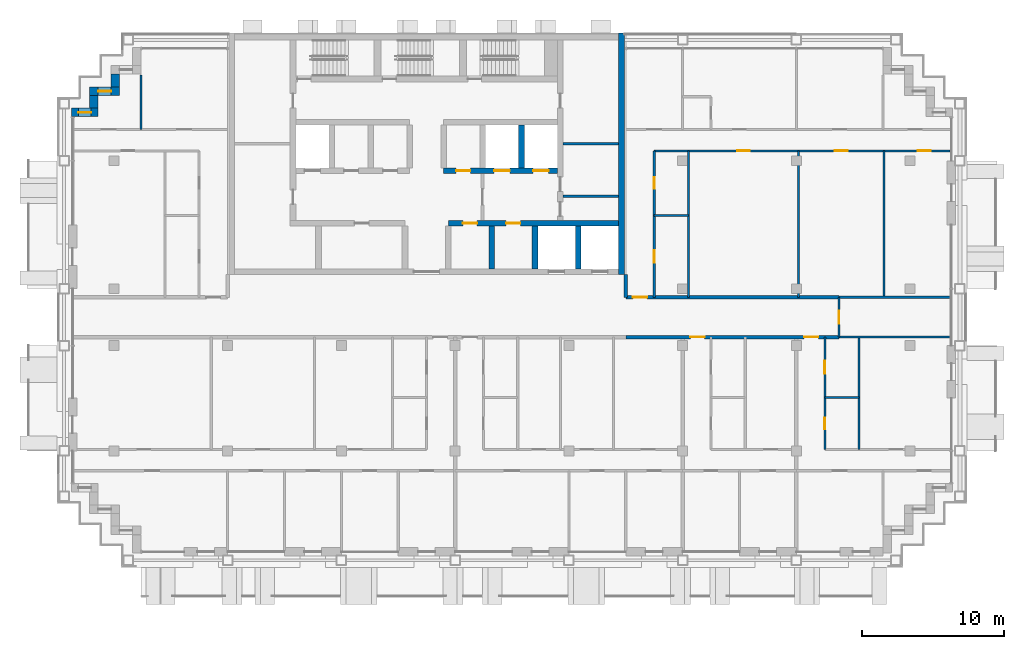
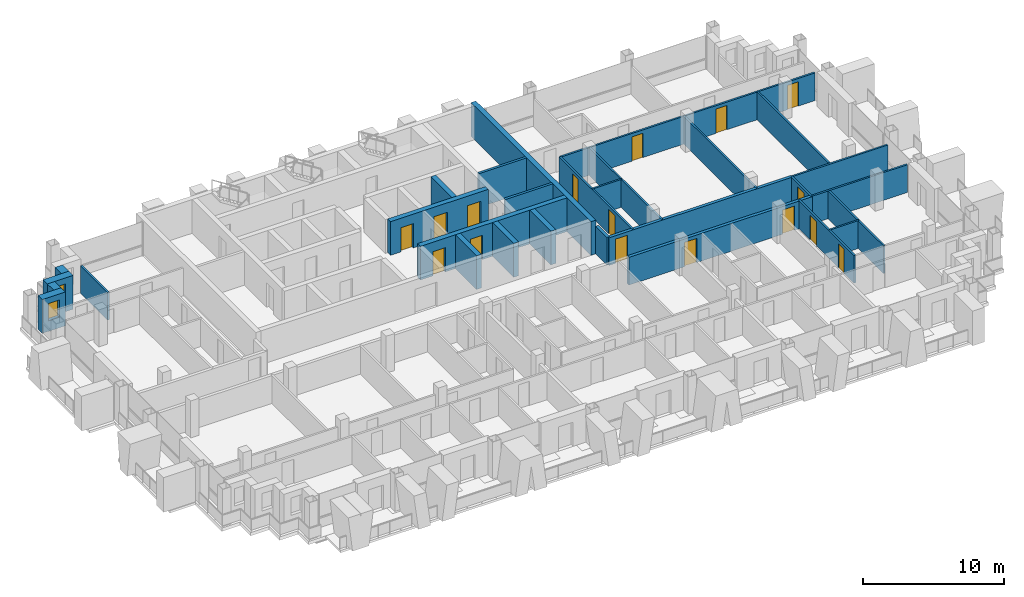
# One storey, part 10 of 16: 29 walls, 16 doors, 2 windows, 18 openings.
"""IFC4 building model written with IfcOpenShell, lengths in metres."""

from ifc_helpers import new_model, si_unit, direction, frame, frame_2d, origin, place, context, subcontext, project, spatial, rectangle, extrude, material, layer, layer_set, type_object, element, fill, save


model = new_model("IFC4")

# Units and contexts
model_context = context("Model", 3, precision=1e-05, world=origin(), true_north=direction((0.0, 1.0)))
body_context = subcontext(model_context, "Body", "Model", "MODEL_VIEW")
ifc_project = project(units=[si_unit("LENGTHUNIT", "METRE"), si_unit("AREAUNIT", "SQUARE_METRE"), si_unit("VOLUMEUNIT", "CUBIC_METRE"), si_unit("PLANEANGLEUNIT", "RADIAN"), si_unit("MASSUNIT", "GRAM", prefix="KILO")], contexts=[model_context])

# Site, building, storey
site_placement = place(None, origin())
site = spatial("IfcSite", under=ifc_project, at=site_placement, CompositionType="ELEMENT")
building_placement = place(site_placement, origin())
building = spatial("IfcBuilding", under=site, at=building_placement, Name="Vidyagriha Tower", CompositionType="ELEMENT")
storey_placement = place(building_placement, frame((0.0, 0.0, 174.89990234375)))
storey = spatial("IfcBuildingStorey", under=building, at=storey_placement, Name="L45", CompositionType="ELEMENT", Elevation=174.89990234375)

# Wall
ifc_material_1 = material(Name="Precast concrete C40/50 with brick facing", Category="concrete")
ifc_layer_1 = layer(ifc_material_1, 0.60009765625)
ifc_layer_set_1 = layer_set([ifc_layer_1], Name="Precast concrete C40/50 with brick facing")
wall_type_1 = type_object("IfcWallType", Name="Brick-faced precast wall 600", PredefinedType="STANDARD", material=ifc_layer_set_1)
wall_1_placement = place(storey_placement, frame((-21.89990234375, 17.10009765625, 0.0), z_axis=(0.0, 0.0, 1.0), x_axis=(0.0, -1.0, 0.0)))
element("IfcWall", 1, at=wall_1_placement, inside=storey, type_object=wall_type_1, Name="Stepped corner wall L45 R12", PredefinedType="STANDARD", context=body_context, shape_type="SweptSolid", body=[
    extrude(rectangle(XDim=0.900146484375, YDim=0.60009765625, at=frame_2d((0.4501953125, 0.0))), origin(), (0.0, 0.0, 1.0), 2.920166015625),
])

# Wall, opening, window
wall_2_placement = place(storey_placement, frame((-21.60009765625, 15.89990234375, 0.0), z_axis=(0.0, 0.0, 1.0), x_axis=(-1.0, 0.0, 0.0)))
wall_2 = element("IfcWall", 2, at=wall_2_placement, inside=storey, type_object=wall_type_1, Name="Stepped corner wall L45 R13", PredefinedType="STANDARD", context=body_context, shape_type="SweptSolid", body=[
    extrude(rectangle(XDim=2.099853515625, YDim=0.60009765625, at=frame_2d((1.0498046875, 0.0))), origin(), (0.0, 0.0, 1.0), 2.920166015625),
])
opening_1_placement = place(wall_2_placement, frame((0.60009765625, 0.0, 0.89990234375)))
opening_1 = element("IfcOpeningElement", 3, at=opening_1_placement, cuts=wall_2, Name="Opening WN1", PredefinedType="OPENING", context=body_context, shape_type="SweptSolid", body=[
    extrude(rectangle(XDim=0.89990234375, YDim=1.5, at=frame_2d((0.449951171875, 0.75))), frame((0.0, 0.31005859375, 0.0), z_axis=(0.0, -1.0, 0.0), x_axis=(1.0, 0.0, 0.0)), (0.0, 0.0, 1.0), 0.6201171875),
])
ifc_material_2 = material(Name="Aluminium and glass window", Category="aluminium")
window_type = type_object("IfcWindowType", Name="Reveal window 900x1500", PartitioningType="NOTDEFINED", PredefinedType="WINDOW", material=ifc_material_2)
window_1_placement = place(opening_1_placement, origin())
window_1 = element("IfcWindow", 4, at=window_1_placement, inside=storey, type_object=window_type, Name="Reveal window L45 R13", OverallHeight=1.5, OverallWidth=0.89990234375, PartitioningType="SINGLE_PANEL", PredefinedType="WINDOW", context=body_context, shape_type="SweptSolid", body=[
    extrude(rectangle(XDim=0.89990234375, YDim=1.5, at=frame_2d((0.449951171875, 0.75))), frame((0.0, 0.030029296875, 0.0), z_axis=(0.0, -1.0, 0.0), x_axis=(1.0, 0.0, 0.0)), (0.0, 0.0, 1.0), 0.06005859375),
])
fill(opening_1, window_1)

# Wall
wall_3_placement = place(storey_placement, frame((-23.39990234375, 15.60009765625, 0.0), z_axis=(0.0, 0.0, 1.0), x_axis=(0.0, -1.0, 0.0)))
element("IfcWall", 5, at=wall_3_placement, inside=storey, type_object=wall_type_1, Name="Stepped corner wall L45 R14", PredefinedType="STANDARD", context=body_context, shape_type="SweptSolid", body=[
    extrude(rectangle(XDim=0.900146484375, YDim=0.60009765625, at=frame_2d((0.4501953125, 0.0))), origin(), (0.0, 0.0, 1.0), 2.920166015625),
])

# Wall, opening, window
wall_4_placement = place(storey_placement, frame((-23.10009765625, 14.39990234375, 0.0), z_axis=(0.0, 0.0, 1.0), x_axis=(-1.0, 0.0, 0.0)))
wall_4 = element("IfcWall", 6, at=wall_4_placement, inside=storey, type_object=wall_type_1, Name="Stepped corner wall L45 R15", PredefinedType="STANDARD", context=body_context, shape_type="SweptSolid", body=[
    extrude(rectangle(XDim=1.8798828125, YDim=0.60009765625, at=frame_2d((0.93994140625, 0.0))), origin(), (0.0, 0.0, 1.0), 2.920166015625),
])
opening_2_placement = place(wall_4_placement, frame((0.489990234375, 0.0, 0.89990234375)))
opening_2 = element("IfcOpeningElement", 7, at=opening_2_placement, cuts=wall_4, Name="Opening WN1", PredefinedType="OPENING", context=body_context, shape_type="SweptSolid", body=[
    extrude(rectangle(XDim=0.89990234375, YDim=1.5, at=frame_2d((0.449951171875, 0.75))), frame((0.0, 0.31005859375, 0.0), z_axis=(0.0, -1.0, 0.0), x_axis=(1.0, 0.0, 0.0)), (0.0, 0.0, 1.0), 0.6201171875),
])
window_2_placement = place(opening_2_placement, origin())
window_2 = element("IfcWindow", 8, at=window_2_placement, inside=storey, type_object=window_type, Name="Reveal window L45 R15", OverallHeight=1.5, OverallWidth=0.89990234375, PartitioningType="SINGLE_PANEL", PredefinedType="WINDOW", context=body_context, shape_type="SweptSolid", body=[
    extrude(rectangle(XDim=0.89990234375, YDim=1.5, at=frame_2d((0.449951171875, 0.75))), frame((0.0, 0.030029296875, 0.0), z_axis=(0.0, -1.0, 0.0), x_axis=(1.0, 0.0, 0.0)), (0.0, 0.0, 1.0), 0.06005859375),
])
fill(opening_2, window_2)

# Wall
ifc_material_3 = material(Name="Concrete C60/75", Category="concrete")
ifc_layer_2 = layer(ifc_material_3, 0.39990234375)
ifc_layer_set_2 = layer_set([ifc_layer_2], Name="Concrete C60/75")
wall_type_2 = type_object("IfcWallType", Name="Core shear wall 400 mm", PredefinedType="SHEAR", material=ifc_layer_set_2)
wall_5_placement = place(storey_placement, frame((13.699951171875, 3.0, 0.0), z_axis=(0.0, 0.0, 1.0), x_axis=(0.0, 1.0, 0.0)))
element("IfcWall", 9, at=wall_5_placement, inside=storey, type_object=wall_type_2, Name="Core east wall", PredefinedType="SHEAR", context=body_context, shape_type="SweptSolid", body=[
    extrude(rectangle(XDim=17.0, YDim=0.39990234375, at=frame_2d((8.5, 0.0))), origin(), (0.0, 0.0, 1.0), 2.920166015625),
])

# Wall, openings, doors
wall_6_placement = place(storey_placement, frame((1.522216796875, 6.60009765625, 0.0)))
wall_6 = element("IfcWall", 10, at=wall_6_placement, inside=storey, type_object=wall_type_2, Name="Core lobby south wall east", PredefinedType="SHEAR", context=body_context, shape_type="SweptSolid", body=[
    extrude(rectangle(XDim=11.977783203125, YDim=0.39990234375, at=frame_2d((5.98876953125, 0.0))), origin(), (0.0, 0.0, 1.0), 2.920166015625),
])
opening_3_placement = place(wall_6_placement, frame((1.022216796875, 0.0, 0.0)))
opening_3 = element("IfcOpeningElement", 11, at=opening_3_placement, cuts=wall_6, Name="Opening D45-03", PredefinedType="OPENING", context=body_context, shape_type="SweptSolid", body=[
    extrude(rectangle(XDim=1.0, YDim=2.10009765625, at=frame_2d((0.5, 1.050048828125))), frame((0.0, 0.2099609375, 0.0), z_axis=(0.0, -1.0, 0.0), x_axis=(1.0, 0.0, 0.0)), (0.0, 0.0, 1.0), 0.419921875),
])
opening_4_placement = place(wall_6_placement, frame((4.066650390625, 0.0, 0.0)))
opening_4 = element("IfcOpeningElement", 12, at=opening_4_placement, cuts=wall_6, Name="Opening D45-04", PredefinedType="OPENING", context=body_context, shape_type="SweptSolid", body=[
    extrude(rectangle(XDim=1.0, YDim=2.10009765625, at=frame_2d((0.5, 1.050048828125))), frame((0.0, 0.2099609375, 0.0), z_axis=(0.0, -1.0, 0.0), x_axis=(1.0, 0.0, 0.0)), (0.0, 0.0, 1.0), 0.419921875),
])
ifc_material_4 = material(Name="Hollow metal door leaf")
door_type_1 = type_object("IfcDoorType", Name="Core room door 1000 x 2100 mm EI 60", OperationType="NOTDEFINED", PredefinedType="DOOR", material=ifc_material_4)
door_1_placement = place(opening_3_placement, origin())
door_1 = element("IfcDoor", 13, at=door_1_placement, inside=storey, type_object=door_type_1, Name="Door Refuse Room 45.02", OperationType="SINGLE_SWING_RIGHT", OverallHeight=2.10009765625, OverallWidth=1.0, PredefinedType="DOOR", context=body_context, shape_type="SweptSolid", body=[
    extrude(rectangle(XDim=1.0, YDim=2.10009765625, at=frame_2d((0.5, 1.050048828125))), frame((0.0, 0.02490234375, 0.0), z_axis=(0.0, -1.0, 0.0), x_axis=(1.0, 0.0, 0.0)), (0.0, 0.0, 1.0), 0.050048828125),
])
fill(opening_3, door_1)
door_2_placement = place(opening_4_placement, origin())
door_2 = element("IfcDoor", 14, at=door_2_placement, inside=storey, type_object=door_type_1, Name="Door Pressurisation Plant Room 45.03", OperationType="SINGLE_SWING_RIGHT", OverallHeight=2.10009765625, OverallWidth=1.0, PredefinedType="DOOR", context=body_context, shape_type="SweptSolid", body=[
    extrude(rectangle(XDim=1.0, YDim=2.10009765625, at=frame_2d((0.5, 1.050048828125))), frame((0.0, 0.02490234375, 0.0), z_axis=(0.0, -1.0, 0.0), x_axis=(1.0, 0.0, 0.0)), (0.0, 0.0, 1.0), 0.050048828125),
])
fill(opening_4, door_2)

# Walls
for number, where, z_axis, x_axis, name in (
    (15, (4.566650390625, 3.39990234375, 0.0), (0.0, 0.0, 1.0), (0.0, 1.0, 0.0), "Core bay wall S6"),
    (16, (7.611083984375, 3.39990234375, 0.0), (0.0, 0.0, 1.0), (0.0, 1.0, 0.0), "Core bay wall S7"),
    (17, (10.655517578125, 3.39990234375, 0.0), (0.0, 0.0, 1.0), (0.0, 1.0, 0.0), "Core bay wall S8"),
):
    element("IfcWall", number, at=place(storey_placement, frame(where, z_axis=z_axis, x_axis=x_axis)), inside=storey, type_object=wall_type_2, Name=name, PredefinedType="SHEAR", context=body_context, shape_type="SweptSolid", body=[
        extrude(rectangle(XDim=3.0, YDim=0.39990234375, at=frame_2d((1.5, 0.0))), origin(), (0.0, 0.0, 1.0), 2.920166015625),
    ])

# Wall, openings, doors
wall_7_placement = place(storey_placement, frame((1.199951171875, 10.300048828125, 0.0)))
wall_7 = element("IfcWall", 18, at=wall_7_placement, inside=storey, type_object=wall_type_2, Name="Core row N front wall", PredefinedType="SHEAR", context=body_context, shape_type="SweptSolid", body=[
    extrude(rectangle(XDim=8.0, YDim=0.39990234375, at=frame_2d((4.0, 0.0))), origin(), (0.0, 0.0, 1.0), 2.920166015625),
])
opening_5_placement = place(wall_7_placement, frame((3.550048828125, 0.0, 0.0)))
opening_5 = element("IfcOpeningElement", 19, at=opening_5_placement, cuts=wall_7, Name="Opening LD45-04", PredefinedType="OPENING", context=body_context, shape_type="SweptSolid", body=[
    extrude(rectangle(XDim=1.10009765625, YDim=2.10009765625, at=frame_2d((0.550048828125, 1.050048828125))), frame((0.0, 0.2099609375, 0.0), z_axis=(0.0, -1.0, 0.0), x_axis=(1.0, 0.0, 0.0)), (0.0, 0.0, 1.0), 0.419921875),
])
opening_6_placement = place(wall_7_placement, frame((6.283203125, 0.0, 0.0)))
opening_6 = element("IfcOpeningElement", 20, at=opening_6_placement, cuts=wall_7, Name="Opening LD45-05", PredefinedType="OPENING", context=body_context, shape_type="SweptSolid", body=[
    extrude(rectangle(XDim=1.10009765625, YDim=2.10009765625, at=frame_2d((0.550048828125, 1.050048828125))), frame((0.0, 0.2099609375, 0.0), z_axis=(0.0, -1.0, 0.0), x_axis=(1.0, 0.0, 0.0)), (0.0, 0.0, 1.0), 0.419921875),
])
opening_7_placement = place(wall_7_placement, frame((0.86669921875, 0.0, 0.0)))
opening_7 = element("IfcOpeningElement", 21, at=opening_7_placement, cuts=wall_7, Name="Opening D45-07", PredefinedType="OPENING", context=body_context, shape_type="SweptSolid", body=[
    extrude(rectangle(XDim=1.0, YDim=2.10009765625, at=frame_2d((0.5, 1.050048828125))), frame((0.0, 0.2099609375, 0.0), z_axis=(0.0, -1.0, 0.0), x_axis=(1.0, 0.0, 0.0)), (0.0, 0.0, 1.0), 0.419921875),
])
door_3_placement = place(opening_7_placement, frame((1.0, 0.0, 0.0), z_axis=(0.0, 0.0, 1.0), x_axis=(-1.0, 0.0, 0.0)))
door_3 = element("IfcDoor", 22, at=door_3_placement, inside=storey, type_object=door_type_1, Name="Door Refuse Room 45.16", OperationType="SINGLE_SWING_LEFT", OverallHeight=2.10009765625, OverallWidth=1.0, PredefinedType="DOOR", context=body_context, shape_type="SweptSolid", body=[
    extrude(rectangle(XDim=1.0, YDim=2.10009765625, at=frame_2d((0.5, 1.050048828125))), frame((0.0, 0.02490234375, 0.0), z_axis=(0.0, -1.0, 0.0), x_axis=(1.0, 0.0, 0.0)), (0.0, 0.0, 1.0), 0.050048828125),
])
fill(opening_7, door_3)
ifc_material_5 = material(Name="Stainless steel sliding door panel", Category="steel")
door_type_2 = type_object("IfcDoorType", Name="Lift landing door 1100 x 2100 mm EI 90", OperationType="NOTDEFINED", PredefinedType="DOOR", material=ifc_material_5)
door_4_placement = place(opening_5_placement, origin())
door_4 = element("IfcDoor", 23, at=door_4_placement, inside=storey, type_object=door_type_2, Name="Landing door FF1 L45", OperationType="SLIDING_TO_LEFT", OverallHeight=2.10009765625, OverallWidth=1.10009765625, PredefinedType="DOOR", context=body_context, shape_type="SweptSolid", body=[
    extrude(rectangle(XDim=1.10009765625, YDim=2.10009765625, at=frame_2d((0.550048828125, 1.050048828125))), frame((0.0, 0.02490234375, 0.0), z_axis=(0.0, -1.0, 0.0), x_axis=(1.0, 0.0, 0.0)), (0.0, 0.0, 1.0), 0.050048828125),
])
fill(opening_5, door_4)
door_5_placement = place(opening_6_placement, origin())
door_5 = element("IfcDoor", 24, at=door_5_placement, inside=storey, type_object=door_type_2, Name="Landing door FF2 L45", OperationType="SLIDING_TO_LEFT", OverallHeight=2.10009765625, OverallWidth=1.10009765625, PredefinedType="DOOR", context=body_context, shape_type="SweptSolid", body=[
    extrude(rectangle(XDim=1.10009765625, YDim=2.10009765625, at=frame_2d((0.550048828125, 1.050048828125))), frame((0.0, 0.02490234375, 0.0), z_axis=(0.0, -1.0, 0.0), x_axis=(1.0, 0.0, 0.0)), (0.0, 0.0, 1.0), 0.050048828125),
])
fill(opening_6, door_5)

# Wall
wall_8_placement = place(storey_placement, frame((6.666748046875, 10.5, 0.0), z_axis=(0.0, 0.0, 1.0), x_axis=(0.0, 1.0, 0.0)))
element("IfcWall", 25, at=wall_8_placement, inside=storey, type_object=wall_type_2, Name="Core bay wall N6", PredefinedType="SHEAR", context=body_context, shape_type="SweptSolid", body=[
    extrude(rectangle(XDim=3.0, YDim=0.39990234375, at=frame_2d((1.5, 0.0))), origin(), (0.0, 0.0, 1.0), 2.920166015625),
])

# Wall, openings, doors
ifc_material_6 = material(Name="Fired clay brick masonry", Category="masonry")
ifc_layer_3 = layer(ifc_material_6, 0.25)
ifc_layer_set_3 = layer_set([ifc_layer_3], Name="Fired clay brick masonry")
wall_type_3 = type_object("IfcWallType", Name="Fired clay brick corridor wall 250", PredefinedType="PARTITIONING", material=ifc_layer_set_3)
wall_9_placement = place(storey_placement, frame((29.0, -1.39990234375, 0.0), z_axis=(0.0, 0.0, 1.0), x_axis=(-1.0, 0.0, 0.0)))
wall_9 = element("IfcWall", 26, at=wall_9_placement, inside=storey, type_object=wall_type_3, Name="Wall all-L45-w069", PredefinedType="PARTITIONING", context=body_context, shape_type="SweptSolid", body=[
    extrude(rectangle(XDim=15.0, YDim=0.25, at=frame_2d((7.5, 0.0))), origin(), (0.0, 0.0, 1.0), 2.400146484375),
])
opening_8_placement = place(wall_9_placement, frame((9.452880859375, 0.0, 0.0)))
opening_8 = element("IfcOpeningElement", 27, at=opening_8_placement, cuts=wall_9, Name="Opening D45-42", PredefinedType="OPENING", context=body_context, shape_type="SweptSolid", body=[
    extrude(rectangle(XDim=1.0, YDim=2.10009765625, at=frame_2d((0.5, 1.050048828125))), frame((0.0, 0.135009765625, 0.0), z_axis=(0.0, -1.0, 0.0), x_axis=(1.0, 0.0, 0.0)), (0.0, 0.0, 1.0), 0.27001953125),
])
opening_9_placement = place(wall_9_placement, frame((1.452880859375, 0.0, 0.0)))
opening_9 = element("IfcOpeningElement", 28, at=opening_9_placement, cuts=wall_9, Name="Opening D45-48", PredefinedType="OPENING", context=body_context, shape_type="SweptSolid", body=[
    extrude(rectangle(XDim=1.0, YDim=2.10009765625, at=frame_2d((0.5, 1.050048828125))), frame((0.0, 0.135009765625, 0.0), z_axis=(0.0, -1.0, 0.0), x_axis=(1.0, 0.0, 0.0)), (0.0, 0.0, 1.0), 0.27001953125),
])
ifc_material_7 = material(Name="Fire-rated timber door leaf EI 60", Category="wood")
door_type_3 = type_object("IfcDoorType", Name="Flat entrance fire door 1000x2100", OperationType="NOTDEFINED", PredefinedType="DOOR", material=ifc_material_7)
door_6_placement = place(opening_8_placement, origin())
door_6 = element("IfcDoor", 29, at=door_6_placement, inside=storey, type_object=door_type_3, Name="Door D45-42", OperationType="SINGLE_SWING_RIGHT", OverallHeight=2.10009765625, OverallWidth=1.0, PredefinedType="DOOR", context=body_context, shape_type="SweptSolid", body=[
    extrude(rectangle(XDim=1.0, YDim=2.10009765625, at=frame_2d((0.5, 1.050048828125))), frame((0.0, 0.02490234375, 0.0), z_axis=(0.0, -1.0, 0.0), x_axis=(1.0, 0.0, 0.0)), (0.0, 0.0, 1.0), 0.050048828125),
])
fill(opening_8, door_6)
door_7_placement = place(opening_9_placement, origin())
door_7 = element("IfcDoor", 30, at=door_7_placement, inside=storey, type_object=door_type_3, Name="Door D45-48", OperationType="SINGLE_SWING_RIGHT", OverallHeight=2.10009765625, OverallWidth=1.0, PredefinedType="DOOR", context=body_context, shape_type="SweptSolid", body=[
    extrude(rectangle(XDim=1.0, YDim=2.10009765625, at=frame_2d((0.5, 1.050048828125))), frame((0.0, 0.02490234375, 0.0), z_axis=(0.0, -1.0, 0.0), x_axis=(1.0, 0.0, 0.0)), (0.0, 0.0, 1.0), 0.050048828125),
])
fill(opening_9, door_7)

# Wall, opening, door
wall_10_placement = place(storey_placement, frame((14.0, 1.39990234375, 0.0)))
wall_10 = element("IfcWall", 31, at=wall_10_placement, inside=storey, type_object=wall_type_3, Name="Wall all-L45-w107", PredefinedType="PARTITIONING", context=body_context, shape_type="SweptSolid", body=[
    extrude(rectangle(XDim=15.0, YDim=0.25, at=frame_2d((7.5, 0.0))), origin(), (0.0, 0.0, 1.0), 2.400146484375),
])
opening_10_placement = place(wall_10_placement, frame((0.5, 0.0, 0.0)))
opening_10 = element("IfcOpeningElement", 32, at=opening_10_placement, cuts=wall_10, Name="Opening D45-65", PredefinedType="OPENING", context=body_context, shape_type="SweptSolid", body=[
    extrude(rectangle(XDim=1.0, YDim=2.10009765625, at=frame_2d((0.5, 1.050048828125))), frame((0.0, 0.135009765625, 0.0), z_axis=(0.0, -1.0, 0.0), x_axis=(1.0, 0.0, 0.0)), (0.0, 0.0, 1.0), 0.27001953125),
])
door_8_placement = place(opening_10_placement, origin())
door_8 = element("IfcDoor", 33, at=door_8_placement, inside=storey, type_object=door_type_3, Name="Door D45-65", OperationType="SINGLE_SWING_LEFT", OverallHeight=2.10009765625, OverallWidth=1.0, PredefinedType="DOOR", context=body_context, shape_type="SweptSolid", body=[
    extrude(rectangle(XDim=1.0, YDim=2.10009765625, at=frame_2d((0.5, 1.050048828125))), frame((0.0, 0.02490234375, 0.0), z_axis=(0.0, -1.0, 0.0), x_axis=(1.0, 0.0, 0.0)), (0.0, 0.0, 1.0), 0.050048828125),
])
fill(opening_10, door_8)

# Walls
wall_11_placement = place(storey_placement, frame((14.0, 1.39990234375, 0.0), z_axis=(0.0, 0.0, 1.0), x_axis=(0.0, 1.0, 0.0)))
element("IfcWall", 34, at=wall_11_placement, inside=storey, type_object=wall_type_3, Name="Wall all-L45-w113", PredefinedType="PARTITIONING", context=body_context, shape_type="SweptSolid", body=[
    extrude(rectangle(XDim=1.60009765625, YDim=0.25, at=frame_2d((0.800048828125, 0.0))), origin(), (0.0, 0.0, 1.0), 2.400146484375),
])
ifc_material_8 = material(Name="Gypsum board partition")
ifc_layer_4 = layer(ifc_material_8, 0.14990234375)
ifc_layer_set_4 = layer_set([ifc_layer_4], Name="Gypsum board partition")
wall_type_4 = type_object("IfcWallType", Name="Gypsum board partition 150", PredefinedType="PARTITIONING", material=ifc_layer_set_4)
wall_12_placement = place(storey_placement, frame((30.39990234375, -5.64990234375, 0.0), z_axis=(0.0, 0.0, 1.0), x_axis=(-1.0, 0.0, 0.0)))
element("IfcWall", 35, at=wall_12_placement, inside=storey, type_object=wall_type_4, Name="Wall all-L45-w058", PredefinedType="PARTITIONING", context=body_context, shape_type="SweptSolid", body=[
    extrude(rectangle(XDim=2.39990234375, YDim=0.14990234375, at=frame_2d((1.199951171875, 0.0))), origin(), (0.0, 0.0, 1.0), 2.400146484375),
])
wall_13_placement = place(storey_placement, frame((30.39990234375, -1.39990234375, 0.0), z_axis=(0.0, 0.0, 1.0), x_axis=(0.0, -1.0, 0.0)))
element("IfcWall", 36, at=wall_13_placement, inside=storey, type_object=wall_type_4, Name="Wall all-L45-w059", PredefinedType="PARTITIONING", context=body_context, shape_type="SweptSolid", body=[
    extrude(rectangle(XDim=7.900146484375, YDim=0.14990234375, at=frame_2d((3.9501953125, 0.0))), origin(), (0.0, 0.0, 1.0), 2.400146484375),
])
wall_14_placement = place(storey_placement, frame((36.820068359375, -1.39990234375, 0.0), z_axis=(0.0, 0.0, 1.0), x_axis=(-1.0, 0.0, 0.0)))
element("IfcWall", 37, at=wall_14_placement, inside=storey, type_object=wall_type_4, Name="Wall all-L45-w070", PredefinedType="PARTITIONING", context=body_context, shape_type="SweptSolid", body=[
    extrude(rectangle(XDim=7.820068359375, YDim=0.14990234375, at=frame_2d((3.91015625, 0.0))), origin(), (0.0, 0.0, 1.0), 2.400146484375),
])
wall_15_placement = place(storey_placement, frame((-20.10009765625, 17.02001953125, 0.0), z_axis=(0.0, 0.0, 1.0), x_axis=(0.0, -1.0, 0.0)))
element("IfcWall", 38, at=wall_15_placement, inside=storey, type_object=wall_type_4, Name="Wall all-L45-w081", PredefinedType="PARTITIONING", context=body_context, shape_type="SweptSolid", body=[
    extrude(rectangle(XDim=3.820068359375, YDim=0.14990234375, at=frame_2d((1.91015625, 0.0))), origin(), (0.0, 0.0, 1.0), 2.400146484375),
])
wall_16_placement = place(storey_placement, frame((16.0, 7.14990234375, 0.0)))
element("IfcWall", 39, at=wall_16_placement, inside=storey, type_object=wall_type_4, Name="Wall all-L45-w087", PredefinedType="PARTITIONING", context=body_context, shape_type="SweptSolid", body=[
    extrude(rectangle(XDim=2.39990234375, YDim=0.14990234375, at=frame_2d((1.199951171875, 0.0))), origin(), (0.0, 0.0, 1.0), 2.400146484375),
])
for number, where, z_axis, x_axis, name in (
    (40, (18.39990234375, 11.699951171875, 0.0), (0.0, 0.0, 1.0), (0.0, -1.0, 0.0), "Wall all-L45-w088"),
    (41, (26.14990234375, 11.699951171875, 0.0), (0.0, 0.0, 1.0), (0.0, -1.0, 0.0), "Wall all-L45-w089"),
    (42, (32.14990234375, 11.699951171875, 0.0), (0.0, 0.0, 1.0), (0.0, -1.0, 0.0), "Wall all-L45-w090"),
):
    element("IfcWall", number, at=place(storey_placement, frame(where, z_axis=z_axis, x_axis=x_axis)), inside=storey, type_object=wall_type_4, Name=name, PredefinedType="PARTITIONING", context=body_context, shape_type="SweptSolid", body=[
        extrude(rectangle(XDim=10.300048828125, YDim=0.14990234375, at=frame_2d((5.14990234375, 0.0))), origin(), (0.0, 0.0, 1.0), 2.400146484375),
    ])

# Wall, openings, doors
wall_17_placement = place(storey_placement, frame((36.820068359375, 11.699951171875, 0.0), z_axis=(0.0, 0.0, 1.0), x_axis=(-1.0, 0.0, 0.0)))
wall_17 = element("IfcWall", 43, at=wall_17_placement, inside=storey, type_object=wall_type_4, Name="Wall all-L45-w091", PredefinedType="PARTITIONING", context=body_context, shape_type="SweptSolid", body=[
    extrude(rectangle(XDim=20.820068359375, YDim=0.14990234375, at=frame_2d((10.41015625, 0.0))), origin(), (0.0, 0.0, 1.0), 2.400146484375),
])
opening_11_placement = place(wall_17_placement, frame((14.094970703125, 0.0, 0.0)))
opening_11 = element("IfcOpeningElement", 44, at=opening_11_placement, cuts=wall_17, Name="Opening D45-57", PredefinedType="OPENING", context=body_context, shape_type="SweptSolid", body=[
    extrude(rectangle(XDim=0.89990234375, YDim=2.10009765625, at=frame_2d((0.449951171875, 1.050048828125))), frame((0.0, 0.0849609375, 0.0), z_axis=(0.0, -1.0, 0.0), x_axis=(1.0, 0.0, 0.0)), (0.0, 0.0, 1.0), 0.169921875),
])
opening_12_placement = place(wall_17_placement, frame((7.219970703125, 0.0, 0.0)))
opening_12 = element("IfcOpeningElement", 45, at=opening_12_placement, cuts=wall_17, Name="Opening D45-58", PredefinedType="OPENING", context=body_context, shape_type="SweptSolid", body=[
    extrude(rectangle(XDim=0.89990234375, YDim=2.10009765625, at=frame_2d((0.449951171875, 1.050048828125))), frame((0.0, 0.0849609375, 0.0), z_axis=(0.0, -1.0, 0.0), x_axis=(1.0, 0.0, 0.0)), (0.0, 0.0, 1.0), 0.169921875),
])
opening_13_placement = place(wall_17_placement, frame((1.373046875, 0.0, 0.0)))
opening_13 = element("IfcOpeningElement", 46, at=opening_13_placement, cuts=wall_17, Name="Opening D45-59", PredefinedType="OPENING", context=body_context, shape_type="SweptSolid", body=[
    extrude(rectangle(XDim=0.89990234375, YDim=2.10009765625, at=frame_2d((0.449951171875, 1.050048828125))), frame((0.0, 0.0849609375, 0.0), z_axis=(0.0, -1.0, 0.0), x_axis=(1.0, 0.0, 0.0)), (0.0, 0.0, 1.0), 0.169921875),
])
ifc_material_9 = material(Name="Timber door leaf", Category="wood")
door_type_4 = type_object("IfcDoorType", Name="Room door 900x2100", OperationType="NOTDEFINED", PredefinedType="DOOR", material=ifc_material_9)
door_9_placement = place(opening_11_placement, origin())
door_9 = element("IfcDoor", 47, at=door_9_placement, inside=storey, type_object=door_type_4, Name="Door D45-57", OperationType="SINGLE_SWING_RIGHT", OverallHeight=2.10009765625, OverallWidth=0.89990234375, PredefinedType="DOOR", context=body_context, shape_type="SweptSolid", body=[
    extrude(rectangle(XDim=0.89990234375, YDim=2.10009765625, at=frame_2d((0.449951171875, 1.050048828125))), frame((0.0, 0.02490234375, 0.0), z_axis=(0.0, -1.0, 0.0), x_axis=(1.0, 0.0, 0.0)), (0.0, 0.0, 1.0), 0.050048828125),
])
fill(opening_11, door_9)
door_10_placement = place(opening_12_placement, origin())
door_10 = element("IfcDoor", 48, at=door_10_placement, inside=storey, type_object=door_type_4, Name="Door D45-58", OperationType="SINGLE_SWING_RIGHT", OverallHeight=2.10009765625, OverallWidth=0.89990234375, PredefinedType="DOOR", context=body_context, shape_type="SweptSolid", body=[
    extrude(rectangle(XDim=0.89990234375, YDim=2.10009765625, at=frame_2d((0.449951171875, 1.050048828125))), frame((0.0, 0.02490234375, 0.0), z_axis=(0.0, -1.0, 0.0), x_axis=(1.0, 0.0, 0.0)), (0.0, 0.0, 1.0), 0.050048828125),
])
fill(opening_12, door_10)
door_11_placement = place(opening_13_placement, origin())
door_11 = element("IfcDoor", 49, at=door_11_placement, inside=storey, type_object=door_type_4, Name="Door D45-59", OperationType="SINGLE_SWING_LEFT", OverallHeight=2.10009765625, OverallWidth=0.89990234375, PredefinedType="DOOR", context=body_context, shape_type="SweptSolid", body=[
    extrude(rectangle(XDim=0.89990234375, YDim=2.10009765625, at=frame_2d((0.449951171875, 1.050048828125))), frame((0.0, 0.02490234375, 0.0), z_axis=(0.0, -1.0, 0.0), x_axis=(1.0, 0.0, 0.0)), (0.0, 0.0, 1.0), 0.050048828125),
])
fill(opening_13, door_11)

# Wall
wall_18_placement = place(storey_placement, frame((29.0, 1.39990234375, 0.0)))
element("IfcWall", 50, at=wall_18_placement, inside=storey, type_object=wall_type_4, Name="Wall all-L45-w108", PredefinedType="PARTITIONING", context=body_context, shape_type="SweptSolid", body=[
    extrude(rectangle(XDim=7.820068359375, YDim=0.14990234375, at=frame_2d((3.91015625, 0.0))), origin(), (0.0, 0.0, 1.0), 2.400146484375),
])

# Wall, opening, door
wall_19_placement = place(storey_placement, frame((29.0, -1.39990234375, 0.0), z_axis=(0.0, 0.0, 1.0), x_axis=(0.0, 1.0, 0.0)))
wall_19 = element("IfcWall", 51, at=wall_19_placement, inside=storey, type_object=wall_type_4, Name="Wall all-L45-w109", PredefinedType="PARTITIONING", context=body_context, shape_type="SweptSolid", body=[
    extrude(rectangle(XDim=2.7998046875, YDim=0.14990234375, at=frame_2d((1.39990234375, 0.0))), origin(), (0.0, 0.0, 1.0), 2.400146484375),
])
opening_14_placement = place(wall_19_placement, frame((0.949951171875, 0.0, 0.0)))
opening_14 = element("IfcOpeningElement", 52, at=opening_14_placement, cuts=wall_19, Name="Opening D45-66", PredefinedType="OPENING", context=body_context, shape_type="SweptSolid", body=[
    extrude(rectangle(XDim=0.89990234375, YDim=2.10009765625, at=frame_2d((0.449951171875, 1.050048828125))), frame((0.0, 0.0849609375, 0.0), z_axis=(0.0, -1.0, 0.0), x_axis=(1.0, 0.0, 0.0)), (0.0, 0.0, 1.0), 0.169921875),
])
door_12_placement = place(opening_14_placement, origin())
door_12 = element("IfcDoor", 53, at=door_12_placement, inside=storey, type_object=door_type_4, Name="Door D45-66", OperationType="SINGLE_SWING_RIGHT", OverallHeight=2.10009765625, OverallWidth=0.89990234375, PredefinedType="DOOR", context=body_context, shape_type="SweptSolid", body=[
    extrude(rectangle(XDim=0.89990234375, YDim=2.10009765625, at=frame_2d((0.449951171875, 1.050048828125))), frame((0.0, 0.02490234375, 0.0), z_axis=(0.0, -1.0, 0.0), x_axis=(1.0, 0.0, 0.0)), (0.0, 0.0, 1.0), 0.050048828125),
])
fill(opening_14, door_12)

# Wall, openings, doors
ifc_material_10 = material(Name="Moisture resistant gypsum board partition")
ifc_layer_5 = layer(ifc_material_10, 0.14990234375)
ifc_layer_set_5 = layer_set([ifc_layer_5], Name="Moisture resistant gypsum board partition")
wall_type_5 = type_object("IfcWallType", Name="Gypsum board wet-area partition 150", PredefinedType="PARTITIONING", material=ifc_layer_set_5)
wall_20_placement = place(storey_placement, frame((28.0, -1.39990234375, 0.0), z_axis=(0.0, 0.0, 1.0), x_axis=(0.0, -1.0, 0.0)))
wall_20 = element("IfcWall", 54, at=wall_20_placement, inside=storey, type_object=wall_type_5, Name="Wall all-L45-w055", PredefinedType="PARTITIONING", context=body_context, shape_type="SweptSolid", body=[
    extrude(rectangle(XDim=7.900146484375, YDim=0.14990234375, at=frame_2d((3.9501953125, 0.0))), origin(), (0.0, 0.0, 1.0), 2.400146484375),
])
opening_15_placement = place(wall_20_placement, frame((1.675048828125, 0.0, 0.0)))
opening_15 = element("IfcOpeningElement", 55, at=opening_15_placement, cuts=wall_20, Name="Opening D45-43", PredefinedType="OPENING", context=body_context, shape_type="SweptSolid", body=[
    extrude(rectangle(XDim=0.89990234375, YDim=2.10009765625, at=frame_2d((0.449951171875, 1.050048828125))), frame((0.0, 0.0849609375, 0.0), z_axis=(0.0, -1.0, 0.0), x_axis=(1.0, 0.0, 0.0)), (0.0, 0.0, 1.0), 0.169921875),
])
opening_16_placement = place(wall_20_placement, frame((5.675048828125, 0.0, 0.0)))
opening_16 = element("IfcOpeningElement", 56, at=opening_16_placement, cuts=wall_20, Name="Opening D45-44", PredefinedType="OPENING", context=body_context, shape_type="SweptSolid", body=[
    extrude(rectangle(XDim=0.800048828125, YDim=2.10009765625, at=frame_2d((0.39990234375, 1.050048828125))), frame((0.0, 0.0849609375, 0.0), z_axis=(0.0, -1.0, 0.0), x_axis=(1.0, 0.0, 0.0)), (0.0, 0.0, 1.0), 0.169921875),
])
ifc_material_11 = material(Name="Timber door leaf", Category="wood")
door_type_5 = type_object("IfcDoorType", Name="Bathroom door 800x2100", OperationType="NOTDEFINED", PredefinedType="DOOR", material=ifc_material_11)
door_13_placement = place(opening_16_placement, origin())
door_13 = element("IfcDoor", 57, at=door_13_placement, inside=storey, type_object=door_type_5, Name="Door D45-44", OperationType="SINGLE_SWING_LEFT", OverallHeight=2.10009765625, OverallWidth=0.800048828125, PredefinedType="DOOR", context=body_context, shape_type="SweptSolid", body=[
    extrude(rectangle(XDim=0.800048828125, YDim=2.10009765625, at=frame_2d((0.39990234375, 1.050048828125))), frame((0.0, 0.02490234375, 0.0), z_axis=(0.0, -1.0, 0.0), x_axis=(1.0, 0.0, 0.0)), (0.0, 0.0, 1.0), 0.050048828125),
])
fill(opening_16, door_13)
ifc_material_12 = material(Name="Timber door leaf", Category="wood")
door_type_6 = type_object("IfcDoorType", Name="Kitchen door 900x2100", OperationType="NOTDEFINED", PredefinedType="DOOR", material=ifc_material_12)
door_14_placement = place(opening_15_placement, origin())
door_14 = element("IfcDoor", 58, at=door_14_placement, inside=storey, type_object=door_type_6, Name="Door D45-43", OperationType="SINGLE_SWING_LEFT", OverallHeight=2.10009765625, OverallWidth=0.89990234375, PredefinedType="DOOR", context=body_context, shape_type="SweptSolid", body=[
    extrude(rectangle(XDim=0.89990234375, YDim=2.10009765625, at=frame_2d((0.449951171875, 1.050048828125))), frame((0.0, 0.02490234375, 0.0), z_axis=(0.0, -1.0, 0.0), x_axis=(1.0, 0.0, 0.0)), (0.0, 0.0, 1.0), 0.050048828125),
])
fill(opening_15, door_14)

wall_21_placement = place(storey_placement, frame((16.0, 11.699951171875, 0.0), z_axis=(0.0, 0.0, 1.0), x_axis=(0.0, -1.0, 0.0)))
wall_21 = element("IfcWall", 59, at=wall_21_placement, inside=storey, type_object=wall_type_5, Name="Wall all-L45-w084", PredefinedType="PARTITIONING", context=body_context, shape_type="SweptSolid", body=[
    extrude(rectangle(XDim=10.300048828125, YDim=0.14990234375, at=frame_2d((5.14990234375, 0.0))), origin(), (0.0, 0.0, 1.0), 2.400146484375),
])
opening_17_placement = place(wall_21_placement, frame((6.97509765625, 0.0, 0.0)))
opening_17 = element("IfcOpeningElement", 60, at=opening_17_placement, cuts=wall_21, Name="Opening D45-55", PredefinedType="OPENING", context=body_context, shape_type="SweptSolid", body=[
    extrude(rectangle(XDim=0.89990234375, YDim=2.10009765625, at=frame_2d((0.449951171875, 1.050048828125))), frame((0.0, 0.0849609375, 0.0), z_axis=(0.0, -1.0, 0.0), x_axis=(1.0, 0.0, 0.0)), (0.0, 0.0, 1.0), 0.169921875),
])
opening_18_placement = place(wall_21_placement, frame((1.875, 0.0, 0.0)))
opening_18 = element("IfcOpeningElement", 61, at=opening_18_placement, cuts=wall_21, Name="Opening D45-56", PredefinedType="OPENING", context=body_context, shape_type="SweptSolid", body=[
    extrude(rectangle(XDim=0.800048828125, YDim=2.10009765625, at=frame_2d((0.39990234375, 1.050048828125))), frame((0.0, 0.0849609375, 0.0), z_axis=(0.0, -1.0, 0.0), x_axis=(1.0, 0.0, 0.0)), (0.0, 0.0, 1.0), 0.169921875),
])
door_15_placement = place(opening_18_placement, origin())
door_15 = element("IfcDoor", 62, at=door_15_placement, inside=storey, type_object=door_type_5, Name="Door D45-56", OperationType="SINGLE_SWING_LEFT", OverallHeight=2.10009765625, OverallWidth=0.800048828125, PredefinedType="DOOR", context=body_context, shape_type="SweptSolid", body=[
    extrude(rectangle(XDim=0.800048828125, YDim=2.10009765625, at=frame_2d((0.39990234375, 1.050048828125))), frame((0.0, 0.02490234375, 0.0), z_axis=(0.0, -1.0, 0.0), x_axis=(1.0, 0.0, 0.0)), (0.0, 0.0, 1.0), 0.050048828125),
])
fill(opening_18, door_15)
door_16_placement = place(opening_17_placement, origin())
door_16 = element("IfcDoor", 63, at=door_16_placement, inside=storey, type_object=door_type_6, Name="Door D45-55", OperationType="SINGLE_SWING_LEFT", OverallHeight=2.10009765625, OverallWidth=0.89990234375, PredefinedType="DOOR", context=body_context, shape_type="SweptSolid", body=[
    extrude(rectangle(XDim=0.89990234375, YDim=2.10009765625, at=frame_2d((0.449951171875, 1.050048828125))), frame((0.0, 0.02490234375, 0.0), z_axis=(0.0, -1.0, 0.0), x_axis=(1.0, 0.0, 0.0)), (0.0, 0.0, 1.0), 0.050048828125),
])
fill(opening_17, door_16)

# Walls
ifc_material_13 = material(Name="Blockwork 15 MPa", Category="masonry")
ifc_layer_6 = layer(ifc_material_13, 0.199951171875)
ifc_layer_set_6 = layer_set([ifc_layer_6], Name="Blockwork 15 MPa")
wall_type_6 = type_object("IfcWallType", Name="Service room partition 200 mm", PredefinedType="PARTITIONING", material=ifc_layer_set_6)
for number, where, name in (
    (64, (9.60009765625, 8.5, 0.0), "Core room partition E1"),
    (65, (9.60009765625, 12.199951171875, 0.0), "Core room partition E2"),
):
    element("IfcWall", number, at=place(storey_placement, frame(where)), inside=storey, type_object=wall_type_6, Name=name, PredefinedType="PARTITIONING", context=body_context, shape_type="SweptSolid", body=[
        extrude(rectangle(XDim=3.89990234375, YDim=0.199951171875, at=frame_2d((1.949951171875, 0.0))), origin(), (0.0, 0.0, 1.0), 2.920166015625),
    ])

save(model, "model.ifc")
